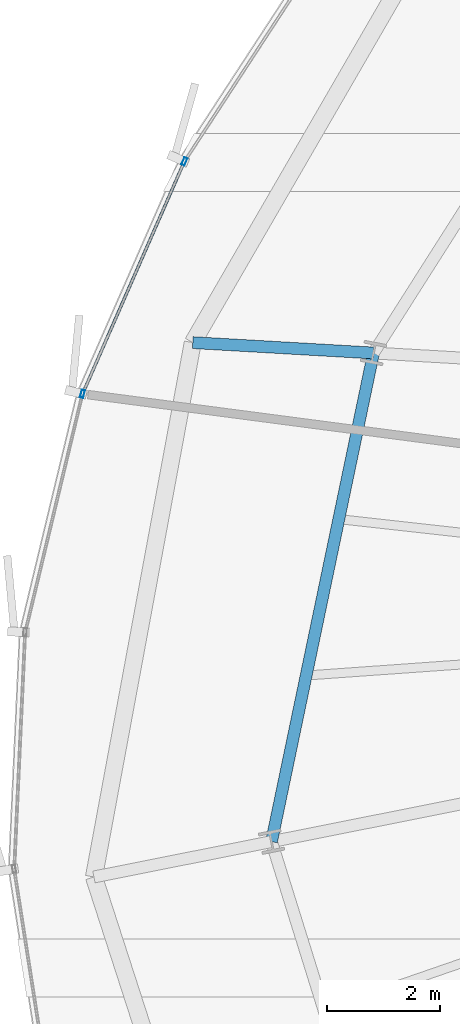
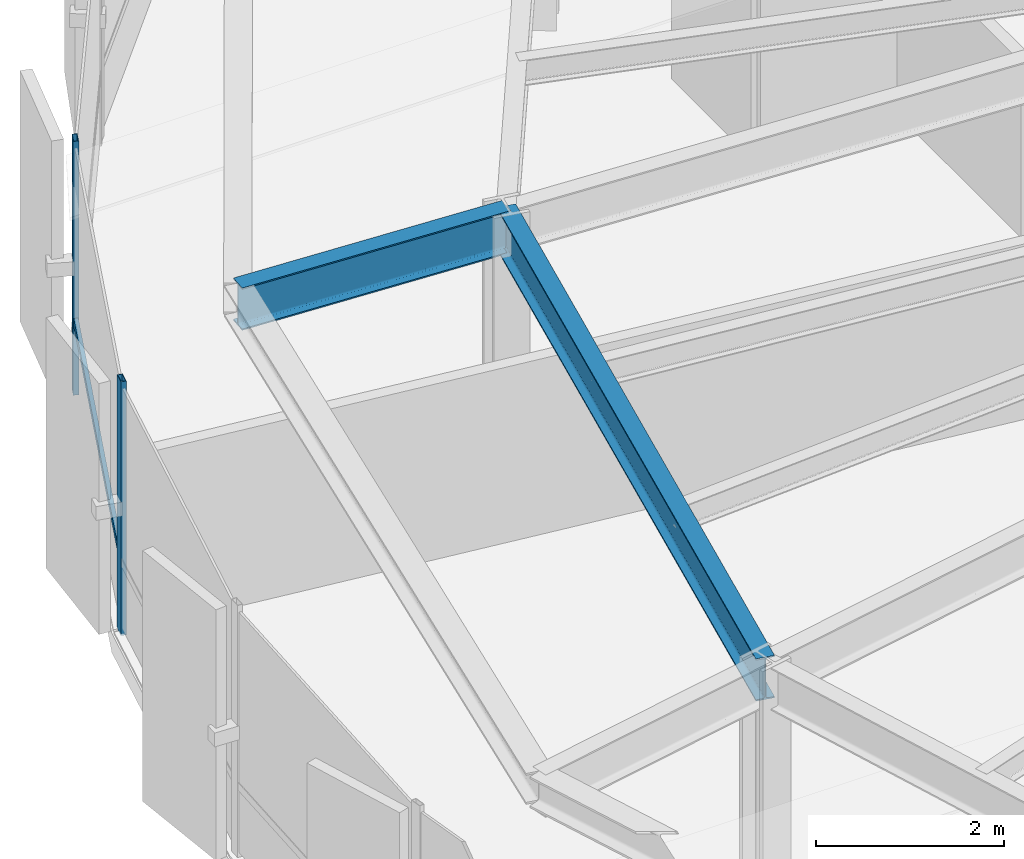
# One storey, part 10 of 36: 3 members, 2 beams, 1 element without a shape of its own.
"""IFC4 building model written with IfcOpenShell, lengths in metres."""

from ifc_helpers import new_model, si_unit, direction, frame, origin, origin_2d, place, context, subcontext, project, spatial, hollow_rectangle, i_section, extrude, source, transform, mapped, material, layer, layer_set, material_profile, profile_set, type_object, element, aggregate, save


model = new_model("IFC4")

# Units and contexts
model_context = context("Model", 3, precision=1e-05, world=origin(), true_north=direction((0.0, 1.0)))
body_context = subcontext(model_context, "Body", "Model", "MODEL_VIEW")
ifc_project = project(units=[si_unit("LENGTHUNIT", "METRE"), si_unit("AREAUNIT", "SQUARE_METRE"), si_unit("VOLUMEUNIT", "CUBIC_METRE"), si_unit("PLANEANGLEUNIT", "RADIAN"), si_unit("MASSUNIT", "GRAM", prefix="KILO"), si_unit("THERMODYNAMICTEMPERATUREUNIT", "KELVIN")], contexts=[model_context])

# Site, building, storey
site_placement = place(None, origin())
site = spatial("IfcSite", under=ifc_project, at=site_placement, CompositionType="ELEMENT")
building_placement = place(site_placement, origin())
building = spatial("IfcBuilding", under=site, at=building_placement, Name="Kethvar Cultural Tower", CompositionType="ELEMENT")
storey_placement = place(building_placement, frame((0.0, 0.0, 143.0)))
storey = spatial("IfcBuildingStorey", under=building, at=storey_placement, Name="L36", CompositionType="ELEMENT", Elevation=143.0)

# Beams
ifc_material_1 = material(Name="Steel S355J2", Category="steel")
ifc_material_profile_1 = material_profile(ifc_material_1, i_section(OverallWidth=0.2099609375, OverallDepth=0.550048828125, WebThickness=0.010986328125, FlangeThickness=0.01708984375, FilletRadius=0.02392578125, at=origin_2d()), Name="Steel S355J2 — IPE550")
ifc_profile_set_1 = profile_set([ifc_material_profile_1], Name="Steel S355J2 — IPE550")
beam_type = type_object("IfcBeamType", Name="BM-IPE550", PredefinedType="BEAM", material=ifc_profile_set_1)
shared_shape_1 = source(origin(), body_context, "Body", "SweptSolid", [
    extrude(i_section(OverallWidth=0.2099609375, OverallDepth=0.550048828125, WebThickness=0.010986328125, FlangeThickness=0.01708984375, FilletRadius=0.02392578125, at=origin_2d()), origin(), (0.0, 0.0, 1.0), 3.2001953125),
])
beam_1_placement = place(storey_placement, frame((25.988525390625, 31.939697265625, 3.02294921875), z_axis=(-0.998357274949, 0.057295301352, 0.0), x_axis=(-0.057295301352, -0.998357274949, 0.0)))
element("IfcBeam", 1, at=beam_1_placement, inside=storey, type_object=beam_type, Name="L36 Perimeter Cantilever Beam RC-08", PredefinedType="BEAM", context=body_context, shape_type="MappedRepresentation", body=[
    mapped(shared_shape_1, transform((0.0, 0.0, 0.0), scale=1.0)),
])
shared_shape_2 = source(origin(), body_context, "Body", "SweptSolid", [
    extrude(i_section(OverallWidth=0.2099609375, OverallDepth=0.550048828125, WebThickness=0.010986328125, FlangeThickness=0.01708984375, FilletRadius=0.02392578125, at=origin_2d()), origin(), (0.0, 0.0, 1.0), 8.82421875),
])
beam_2_placement = place(storey_placement, frame((25.988525390625, 31.939697265625, 3.02294921875), z_axis=(-0.204350879122, -0.978897705688, 0.0), x_axis=(0.978897705688, -0.204350879122, 0.0)))
element("IfcBeam", 2, at=beam_2_placement, inside=storey, type_object=beam_type, Name="L36 Column Ring Tie Beam CR-08", PredefinedType="BEAM", context=body_context, shape_type="MappedRepresentation", body=[
    mapped(shared_shape_2, transform((0.0, 0.0, 0.0), scale=1.0)),
])

# Curtain wall, members
ifc_material_2 = material(Name="Aluminium 6063-T6", Category="aluminium")
ifc_layer = layer(ifc_material_2, 0.179931640625, Name="Aluminium 6063-T6", Category="aluminium")
ifc_layer_set = layer_set([ifc_layer], Name="Aluminium 6063-T6 (180 mm)")
curtain_wall_type = type_object("IfcCurtainWallType", Name="CW-SYS-04-Z34", PredefinedType="NOTDEFINED", material=ifc_layer_set)
curtain_wall_placement = place(storey_placement, origin())
curtain_wall = element("IfcCurtainWall", 3, at=curtain_wall_placement, inside=storey, type_object=curtain_wall_type, Name="L36 Curtain Wall Run 03", PredefinedType="NOTDEFINED")
ifc_material_profile_2 = material_profile(ifc_material_2, hollow_rectangle(XDim=0.06005859375, YDim=0.139892578125, WallThickness=0.0048828125, at=origin_2d()), Name="Aluminium 6063-T6 — RHS140x60x5")
ifc_profile_set_2 = profile_set([ifc_material_profile_2], Name="Aluminium 6063-T6 — RHS140x60x5")
member_type_1 = type_object("IfcMemberType", Name="CW-SYS-04-Z34-MUL", PredefinedType="MULLION", material=ifc_profile_set_2)
shared_shape_3 = source(origin(), body_context, "Body", "SweptSolid", [
    extrude(hollow_rectangle(XDim=0.06005859375, YDim=0.139892578125, WallThickness=0.0048828125, at=origin_2d()), origin(), (0.0, 0.0, 1.0), 3.300048828125),
])
member_1_placement = place(storey_placement, frame((22.645751953125, 35.32568359375, 0.0), z_axis=(0.0, 0.0, 1.0), x_axis=(0.915970997042, -0.401244479811, 0.0)))
member_1 = element("IfcMember", 4, at=member_1_placement, type_object=member_type_1, Name="CW-L36-R03 Mullion 2", PredefinedType="MULLION", context=body_context, shape_type="MappedRepresentation", body=[
    mapped(shared_shape_3, transform((0.0, 0.0, 0.0), scale=1.0)),
])
member_2_placement = place(storey_placement, frame((20.84375, 31.21630859375, 0.0), z_axis=(0.0, 0.0, 1.0), x_axis=(0.972361771025, -0.233479305827, 0.0)))
member_2 = element("IfcMember", 5, at=member_2_placement, type_object=member_type_1, Name="CW-L36-R03 Mullion 3", PredefinedType="MULLION", context=body_context, shape_type="MappedRepresentation", body=[
    mapped(shared_shape_3, transform((0.0, 0.0, 0.0), scale=1.0)),
])
ifc_material_profile_3 = material_profile(ifc_material_2, hollow_rectangle(XDim=0.050048828125, YDim=0.10009765625, WallThickness=0.00390625, at=origin_2d()), Name="Aluminium 6063-T6 — RHS100x50x4")
ifc_profile_set_3 = profile_set([ifc_material_profile_3], Name="Aluminium 6063-T6 — RHS100x50x4")
member_type_2 = type_object("IfcMemberType", Name="CW-SYS-04-Z34-TRN", PredefinedType="USERDEFINED", material=ifc_profile_set_3)
shared_shape_4 = source(origin(), body_context, "Body", "SweptSolid", [
    extrude(hollow_rectangle(XDim=0.050048828125, YDim=0.10009765625, WallThickness=0.00390625, at=origin_2d()), origin(), (0.0, 0.0, 1.0), 4.42041015625),
])
member_3_placement = place(storey_placement, frame((22.62841796875, 35.2861328125, 0.949951171875), z_axis=(-0.401259193589, -0.915964551476, 0.0), x_axis=(0.915964551476, -0.401259193589, 0.0)))
member_3 = element("IfcMember", 6, at=member_3_placement, type_object=member_type_2, Name="CW-L36-R03 Transom 2", ObjectType="TRANSOM", PredefinedType="USERDEFINED", context=body_context, shape_type="MappedRepresentation", body=[
    mapped(shared_shape_4, transform((0.0, 0.0, 0.0), scale=1.0)),
])
aggregate(curtain_wall, [member_1, member_2, member_3])

save(model, "model.ifc")
